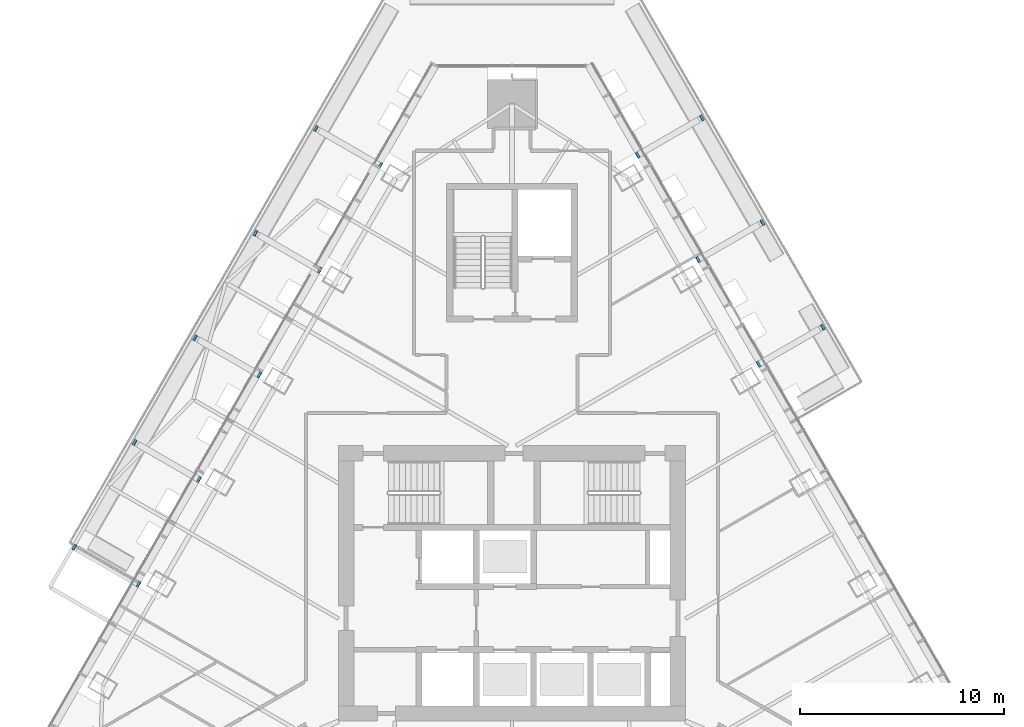
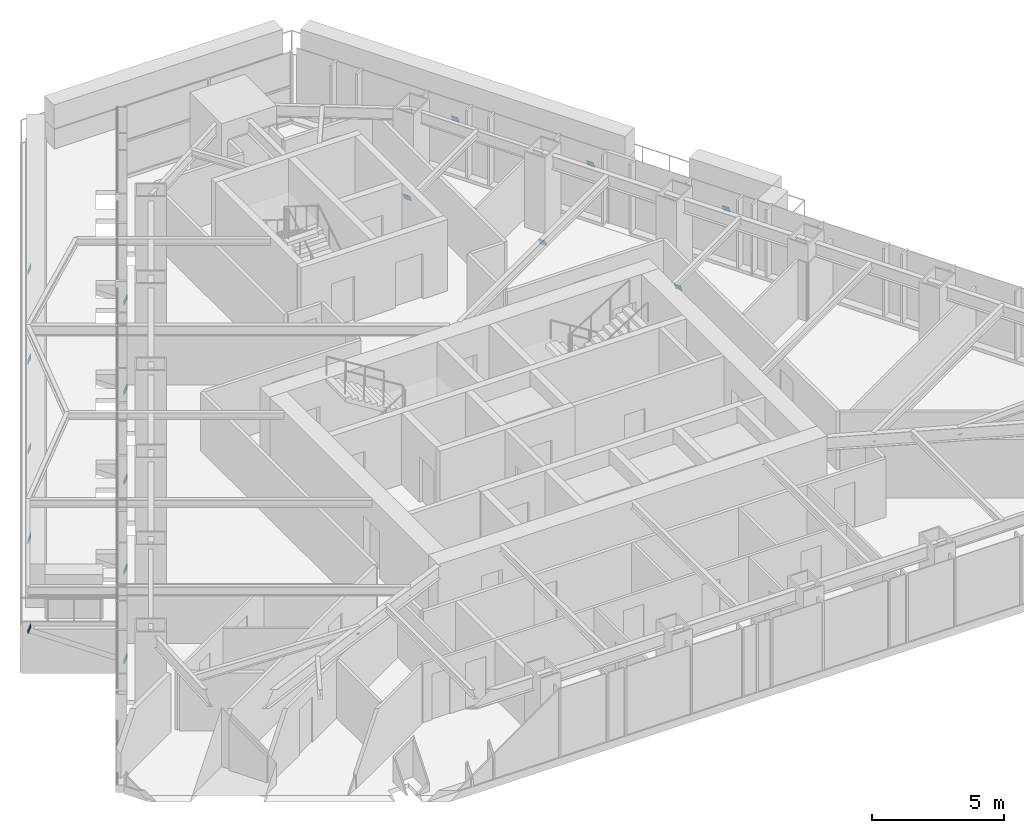
# One storey, part 13 of 16: 16 discrete accessories.
"""IFC4 building model written with IfcOpenShell, lengths in metres."""

from ifc_helpers import new_model, si_unit, direction, frame, origin, place, context, subcontext, project, spatial, polyline, outline, extrude, material, layer, layer_set, type_object, element, save


model = new_model("IFC4")

# Units and contexts
model_context = context("Model", 3, precision=1e-05, world=origin(), true_north=direction((0.0, 1.0)))
body_context = subcontext(model_context, "Body", "Model", "MODEL_VIEW")
ifc_project = project(units=[si_unit("LENGTHUNIT", "METRE"), si_unit("AREAUNIT", "SQUARE_METRE"), si_unit("VOLUMEUNIT", "CUBIC_METRE"), si_unit("PLANEANGLEUNIT", "RADIAN"), si_unit("MASSUNIT", "GRAM", prefix="KILO")], contexts=[model_context])

# Site, building, storey
site_placement = place(None, origin())
site = spatial("IfcSite", under=ifc_project, at=site_placement, CompositionType="ELEMENT")
building_placement = place(site_placement, origin())
building = spatial("IfcBuilding", under=site, at=building_placement, Name="Firuza Gate Tower and Library", CompositionType="ELEMENT")
storey_placement = place(building_placement, frame((0.0, 0.0, 319.60009765625)))
storey = spatial("IfcBuildingStorey", under=building, at=storey_placement, Name="L78", CompositionType="ELEMENT", Elevation=319.60009765625)

# Discrete accessories
ifc_material = material(Name="Steel S355", Category="steel")
ifc_layer = layer(ifc_material, 0.02001953125)
ifc_layer_set = layer_set([ifc_layer], Name="Strut seat plate 304x304x20 Steel S355")
discrete_accessory_type = type_object("IfcDiscreteAccessoryType", Name="Strut seat plate 304x304x20 Steel S355", PredefinedType="BRACKET", material=ifc_layer_set)
discrete_accessory_1_placement = place(storey_placement, frame((86.960693359375, 85.84521484375, -1.53564453125), z_axis=(0.807236862691, 0.465771176803, 0.362527045021), x_axis=(0.499768824934, -0.866158831638, 0.0)))
element("IfcDiscreteAccessory", 1, at=discrete_accessory_1_placement, inside=storey, type_object=discrete_accessory_type, Name="Strut seat plate L78 col:L77:E4", PredefinedType="BRACKET", context=body_context, shape_type="SweptSolid", body=[
    extrude(outline(polyline([(0.0, 0.0), (0.30385142324571607, -6.938893903907228e-18), (0.3037678574739876, 0.3041366961441935), (-8.356577172844576e-05, 0.3041366961441935), (0.0, 0.0)])), origin(), (0.0, 0.0, -1.0), 0.02001953125),
])
discrete_accessory_2_placement = place(storey_placement, frame((90.2626953125, 87.400634765625, -0.12109375), z_axis=(0.807065000242, 0.466204446129, 0.362352728421), x_axis=(-0.500174513809, 0.865924622089, -6.7792295e-05)))
element("IfcDiscreteAccessory", 2, at=discrete_accessory_2_placement, inside=storey, type_object=discrete_accessory_type, Name="Strut seat plate L78 col:L77:E4", PredefinedType="BRACKET", context=body_context, shape_type="SweptSolid", body=[
    extrude(outline(polyline([(0.0, 0.0), (0.3041849095061368, -6.938893903907228e-18), (0.3040246340973766, -0.30409246341043505), (5.113196967963103e-05, -0.30413669800198206), (0.0, 0.0)])), origin(), (0.0, 0.0, -1.0), 0.02001953125),
])
discrete_accessory_3_placement = place(storey_placement, frame((84.000732421875, 90.97216796875, -1.53564453125), z_axis=(0.807389027558, 0.465642999667, 0.362352804651), x_axis=(0.499617796206, -0.866245954172, -6.7784983e-05)))
element("IfcDiscreteAccessory", 3, at=discrete_accessory_3_placement, inside=storey, type_object=discrete_accessory_type, Name="Strut seat plate L78 col:L77:E5", PredefinedType="BRACKET", context=body_context, shape_type="SweptSolid", body=[
    extrude(outline(polyline([(0.0, 0.0), (0.30385141792910364, 6.938893903907228e-18), (0.3039793273513433, 0.30409247875968454), (-8.357640641559245e-05, 0.3041366908296457), (0.0, 0.0)])), origin(), (0.0, 0.0, -1.0), 0.02001953125),
])
discrete_accessory_4_placement = place(storey_placement, frame((87.302734375, 92.527587890625, -0.12109375), z_axis=(0.807176415657, 0.466110685294, 0.362225155203), x_axis=(-0.500109644733, 0.865962083153, 0.000117414413)))
element("IfcDiscreteAccessory", 4, at=discrete_accessory_4_placement, inside=storey, type_object=discrete_accessory_type, Name="Strut seat plate L78 col:L77:E5", PredefinedType="BRACKET", context=body_context, shape_type="SweptSolid", body=[
    extrude(outline(polyline([(0.0, 0.0), (0.30397349470403323, 0.0), (0.30398038961827195, -0.30413669158553386), (0.00012899199547221094, -0.304060124563596), (0.0, 0.0)])), origin(), (0.0, 0.0, -1.0), 0.02001953125),
])
discrete_accessory_5_placement = place(storey_placement, frame((81.04052734375, 96.09912109375, -1.53564453125), z_axis=(0.807065000242, 0.466204446129, 0.362352728421), x_axis=(0.500174513809, -0.865924622089, 6.7792295e-05)))
element("IfcDiscreteAccessory", 5, at=discrete_accessory_5_placement, inside=storey, type_object=discrete_accessory_type, Name="Strut seat plate L78 col:L77:E6", PredefinedType="BRACKET", context=body_context, shape_type="SweptSolid", body=[
    extrude(outline(polyline([(0.0, 0.0), (0.3041849095061368, -6.938893903907228e-18), (0.3041337775364572, 0.304136698001982), (0.00016027540876014529, 0.30409246341043505), (0.0, 0.0)])), origin(), (0.0, 0.0, -1.0), 0.02001953125),
])
discrete_accessory_6_placement = place(storey_placement, frame((84.342529296875, 97.654541015625, -0.12109375), z_axis=(0.807389027558, 0.465642999667, 0.362352804651), x_axis=(-0.499617796206, 0.866245954172, 6.7784983e-05)))
element("IfcDiscreteAccessory", 6, at=discrete_accessory_6_placement, inside=storey, type_object=discrete_accessory_type, Name="Strut seat plate L78 col:L77:E6", PredefinedType="BRACKET", context=body_context, shape_type="SweptSolid", body=[
    extrude(outline(polyline([(0.0, 0.0), (0.30385141792910364, 6.938893903907228e-18), (0.30393499433551924, -0.3041366908296457), (-0.00012790942223972983, -0.30409247875968454), (0.0, 0.0)])), origin(), (0.0, 0.0, -1.0), 0.02001953125),
])
discrete_accessory_7_placement = place(storey_placement, frame((68.50732421875, 95.316162109375, -1.53564453125), z_axis=(-0.806912615133, 0.466332615239, 0.36252713485), x_axis=(0.500371262739, 0.865810949009, 0.0)))
element("IfcDiscreteAccessory", 7, at=discrete_accessory_7_placement, inside=storey, type_object=discrete_accessory_type, Name="Strut seat plate L78 col:L77:W1", PredefinedType="BRACKET", context=body_context, shape_type="SweptSolid", body=[
    extrude(outline(polyline([(0.0, 0.0), (0.3039735106735333, 0.0), (0.30398037364841063, 0.30413670754718714), (6.862974877369643e-06, 0.30413670754718714), (0.0, 0.0)])), origin(), (0.0, 0.0, -1.0), 0.02001953125),
])
discrete_accessory_8_placement = place(storey_placement, frame((65.50927734375, 97.398193359375, -0.12109375), z_axis=(-0.807328680114, 0.465982478786, 0.362050730879), x_axis=(-0.499833976398, -0.866121216566, 0.000185076226)))
element("IfcDiscreteAccessory", 8, at=discrete_accessory_8_placement, inside=storey, type_object=discrete_accessory_type, Name="Strut seat plate L78 col:L77:W1", PredefinedType="BRACKET", context=body_context, shape_type="SweptSolid", body=[
    extrude(outline(polyline([(0.0, 0.0), (0.30406287255707104, 6.938893903907228e-18), (0.30393514216862605, -0.3041366410844333), (-3.830479270092284e-05, -0.3040159179640979), (0.0, 0.0)])), origin(), (0.0, 0.0, -1.0), 0.02001953125),
])
discrete_accessory_9_placement = place(storey_placement, frame((65.54736328125, 90.189208984375, -1.53564453125), z_axis=(-0.807065000242, 0.466204446129, 0.362352728421), x_axis=(0.500174513809, 0.865924622089, -6.7792295e-05)))
element("IfcDiscreteAccessory", 9, at=discrete_accessory_9_placement, inside=storey, type_object=discrete_accessory_type, Name="Strut seat plate L78 col:L77:W2", PredefinedType="BRACKET", context=body_context, shape_type="SweptSolid", body=[
    extrude(outline(polyline([(0.0, 0.0), (0.3041849095061368, 6.938893903907228e-18), (0.3040246340973766, 0.30409246341043505), (5.113196967963103e-05, 0.30413669800198206), (0.0, 0.0)])), origin(), (0.0, 0.0, -1.0), 0.02001953125),
])
discrete_accessory_10_placement = place(storey_placement, frame((62.54931640625, 92.271240234375, -0.12109375), z_axis=(-0.807389027558, 0.465642999667, 0.362352804651), x_axis=(-0.499617796206, -0.866245954172, -6.7784983e-05)))
element("IfcDiscreteAccessory", 10, at=discrete_accessory_10_placement, inside=storey, type_object=discrete_accessory_type, Name="Strut seat plate L78 col:L77:W2", PredefinedType="BRACKET", context=body_context, shape_type="SweptSolid", body=[
    extrude(outline(polyline([(0.0, 0.0), (0.30385141792910364, -6.938893903907228e-18), (0.3039793273513433, -0.30409247875968454), (-8.357640641559245e-05, -0.3041366908296457), (0.0, 0.0)])), origin(), (0.0, 0.0, -1.0), 0.02001953125),
])
discrete_accessory_11_placement = place(storey_placement, frame((62.58740234375, 85.0625, -1.53564453125), z_axis=(-0.807328680114, 0.465982478786, 0.362050730879), x_axis=(0.499879541517, 0.86609493793, -4.9649318e-05)))
element("IfcDiscreteAccessory", 11, at=discrete_accessory_11_placement, inside=storey, type_object=discrete_accessory_type, Name="Strut seat plate L78 col:L77:W3", PredefinedType="BRACKET", context=body_context, shape_type="SweptSolid", body=[
    extrude(outline(polyline([(0.0, 0.0), (0.3038514203886584, 6.938893903907228e-18), (0.30405700574970995, 0.3040600955330893), (-0.00012790450209466603, 0.30409248121935917), (0.0, 0.0)])), origin(), (0.0, 0.0, -1.0), 0.02001953125),
])
discrete_accessory_12_placement = place(storey_placement, frame((59.58935546875, 87.144287109375, -0.12109375), z_axis=(-0.807176415657, 0.466110685294, 0.362225155203), x_axis=(-0.500109644733, -0.865962083153, -0.000117414413)))
element("IfcDiscreteAccessory", 12, at=discrete_accessory_12_placement, inside=storey, type_object=discrete_accessory_type, Name="Strut seat plate L78 col:L77:W3", PredefinedType="BRACKET", context=body_context, shape_type="SweptSolid", body=[
    extrude(outline(polyline([(0.0, 0.0), (0.30397349470403323, 0.0), (0.303844502708561, -0.304060124563596), (-6.894914238654778e-06, -0.30413669158553386), (0.0, 0.0)])), origin(), (0.0, 0.0, -1.0), 0.02001953125),
])
discrete_accessory_13_placement = place(storey_placement, frame((59.62744140625, 79.935546875, -1.53564453125), z_axis=(-0.807236862691, 0.465771176803, 0.362527045021), x_axis=(0.499768824934, 0.866158831638, 0.0)))
element("IfcDiscreteAccessory", 13, at=discrete_accessory_13_placement, inside=storey, type_object=discrete_accessory_type, Name="Strut seat plate L78 col:L77:W4", PredefinedType="BRACKET", context=body_context, shape_type="SweptSolid", body=[
    extrude(outline(polyline([(0.0, 0.0), (0.30385142324571607, 6.938893903907228e-18), (0.3039349890174445, 0.3041366961441935), (8.356577172844576e-05, 0.3041366961441935), (0.0, 0.0)])), origin(), (0.0, 0.0, -1.0), 0.02001953125),
])
discrete_accessory_14_placement = place(storey_placement, frame((56.62939453125, 82.017578125, -0.12109375), z_axis=(-0.807065000242, 0.466204446129, 0.362352728421), x_axis=(-0.500174513809, -0.865924622089, 6.7792295e-05)))
element("IfcDiscreteAccessory", 14, at=discrete_accessory_14_placement, inside=storey, type_object=discrete_accessory_type, Name="Strut seat plate L78 col:L77:W4", PredefinedType="BRACKET", context=body_context, shape_type="SweptSolid", body=[
    extrude(outline(polyline([(0.0, 0.0), (0.3041849095061368, 6.938893903907228e-18), (0.3041337775364572, -0.304136698001982), (0.00016027540876014529, -0.30409246341043505), (0.0, 0.0)])), origin(), (0.0, 0.0, -1.0), 0.02001953125),
])
discrete_accessory_15_placement = place(storey_placement, frame((56.667236328125, 74.80859375, -1.53564453125), z_axis=(-0.807328680114, 0.465982478786, 0.362050730879), x_axis=(0.499912926069, 0.866075668686, 4.9594885e-05)))
element("IfcDiscreteAccessory", 15, at=discrete_accessory_15_placement, inside=storey, type_object=discrete_accessory_type, Name="Strut seat plate L78 col:L77:W5", PredefinedType="BRACKET", context=body_context, shape_type="SweptSolid", body=[
    extrude(outline(polyline([(0.0, 0.0), (0.3041849119758097, 6.938893903907228e-18), (0.304024631629005, 0.3040924658782561), (0.00017321296246153618, 0.30406011569786934), (0.0, 0.0)])), origin(), (0.0, 0.0, -1.0), 0.02001953125),
])
discrete_accessory_16_placement = place(storey_placement, frame((53.66943359375, 76.890625, -0.12109375), z_axis=(-0.807065000242, 0.466204446129, 0.362352728421), x_axis=(-0.500220173323, -0.865898246677, -6.7839443e-05)))
element("IfcDiscreteAccessory", 16, at=discrete_accessory_16_placement, inside=storey, type_object=discrete_accessory_type, Name="Strut seat plate L78 col:L77:W5", PredefinedType="BRACKET", context=body_context, shape_type="SweptSolid", body=[
    extrude(outline(polyline([(0.0, 0.0), (0.30397350534623263, 1.3877787807814457e-17), (0.3041780326557639, -0.30409243686716886), (-6.873629598945817e-06, -0.30413670222250444), (0.0, 0.0)])), origin(), (0.0, 0.0, -1.0), 0.02001953125),
])

save(model, "model.ifc")
